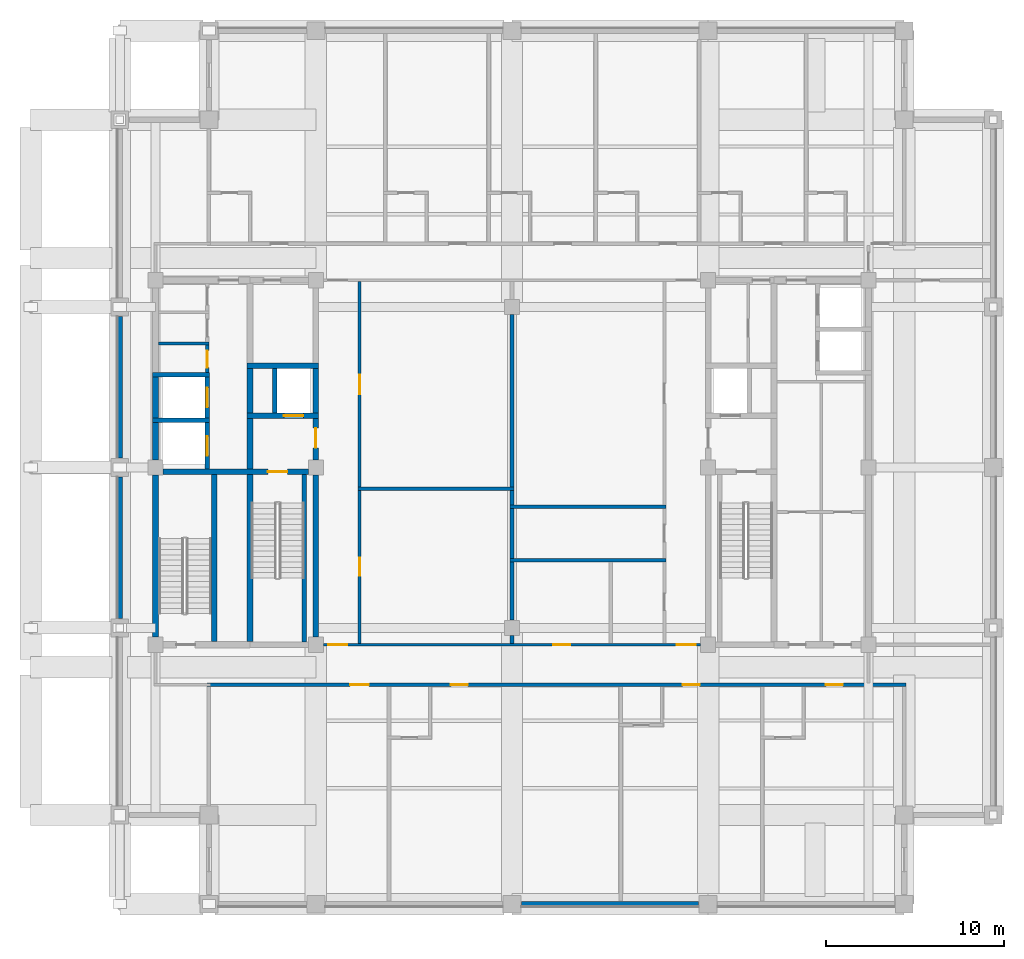
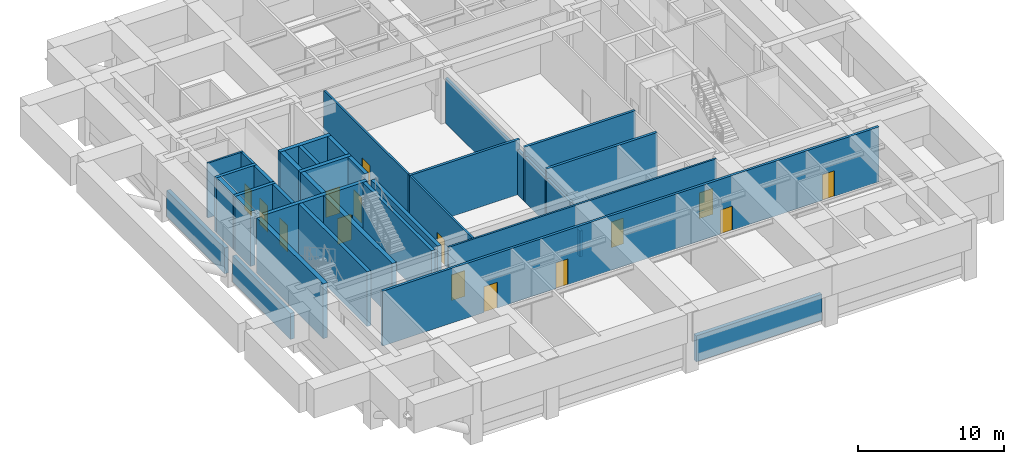
# One storey, part 3 of 11: 36 walls, 15 doors, 15 openings.
"""IFC4 building model written with IfcOpenShell, lengths in metres."""

from ifc_helpers import new_model, si_unit, direction, frame, frame_2d, origin, place, context, subcontext, project, spatial, rectangle, extrude, material, layer, layer_set, type_object, element, fill, save


model = new_model("IFC4")

# Units and contexts
model_context = context("Model", 3, precision=1e-05, world=origin(), true_north=direction((0.0, 1.0)))
body_context = subcontext(model_context, "Body", "Model", "MODEL_VIEW")
ifc_project = project(units=[si_unit("LENGTHUNIT", "METRE"), si_unit("AREAUNIT", "SQUARE_METRE"), si_unit("VOLUMEUNIT", "CUBIC_METRE"), si_unit("PLANEANGLEUNIT", "RADIAN"), si_unit("MASSUNIT", "GRAM", prefix="KILO")], contexts=[model_context])

# Site, building, storey
site_placement = place(None, origin())
site = spatial("IfcSite", under=ifc_project, at=site_placement, CompositionType="ELEMENT")
building_placement = place(site_placement, origin())
building = spatial("IfcBuilding", under=site, at=building_placement, Name="Zulmaris Gate Convention Tower", CompositionType="ELEMENT")
storey_placement = place(building_placement, frame((0.0, 0.0, 186.4599609375)))
storey = spatial("IfcBuildingStorey", under=building, at=storey_placement, Name="L48", CompositionType="ELEMENT", Elevation=186.4599609375)

# Walls
ifc_material_1 = material(Name="Concrete C50/60", Category="concrete")
ifc_layer_1 = layer(ifc_material_1, 0.25, Name="Concrete C50/60")
ifc_layer_set_1 = layer_set([ifc_layer_1], Name="Concrete C50/60")
wall_type_1 = type_object("IfcWallType", Name="CORE-250", PredefinedType="SOLIDWALL", material=ifc_layer_set_1)
for number, where, z_axis, x_axis, name in (
    (1, (-20.175048828125, 2.64990234375, 0.0), (0.0, 0.0, 1.0), (1.0, 0.0, 0.0), "WL-L48-007"),
    (2, (-20.175048828125, 5.199951171875, 0.0), (0.0, 0.0, 1.0), (1.0, 0.0, 0.0), "WL-L48-010"),
):
    element("IfcWall", number, at=place(storey_placement, frame(where, z_axis=z_axis, x_axis=x_axis)), inside=storey, type_object=wall_type_1, Name=name, PredefinedType="SOLIDWALL", context=body_context, shape_type="SweptSolid", body=[
        extrude(rectangle(XDim=3.199951171875, YDim=0.25, at=frame_2d((1.60009765625, 0.0))), origin(), (0.0, 0.0, 1.0), 4.574951171875),
    ])

# Wall, opening, door
wall_1_placement = place(storey_placement, frame((-17.10009765625, -0.097900390625, 0.0), z_axis=(0.0, 0.0, 1.0), x_axis=(0.0, 1.0, 0.0)))
wall_1 = element("IfcWall", 3, at=wall_1_placement, inside=storey, type_object=wall_type_1, Name="WL-L48-048", PredefinedType="SOLIDWALL", context=body_context, shape_type="SweptSolid", body=[
    extrude(rectangle(XDim=2.620849609375, YDim=0.25, at=frame_2d((1.310546875, 0.0))), origin(), (0.0, 0.0, 1.0), 4.574951171875),
])
opening_1_placement = place(wall_1_placement, frame((0.748046875, 0.0, 0.0)))
opening_1 = element("IfcOpeningElement", 4, at=opening_1_placement, cuts=wall_1, Name="Opening D-06", PredefinedType="OPENING", context=body_context, shape_type="SweptSolid", body=[
    extrude(rectangle(XDim=1.10009765625, YDim=2.199951171875, at=frame_2d((0.550048828125, 1.10009765625))), frame((0.0, 0.135009765625, 0.0), z_axis=(0.0, -1.0, 0.0), x_axis=(1.0, 0.0, 0.0)), (0.0, 0.0, 1.0), 0.27001953125),
])
ifc_material_2 = material(Name="Brushed Stainless Steel", Category="steel")
door_type_1 = type_object("IfcDoorType", Name="LD-1100", OperationType="NOTDEFINED", PredefinedType="DOOR", material=ifc_material_2)
door_1_placement = place(opening_1_placement, origin())
door_1 = element("IfcDoor", 5, at=door_1_placement, inside=storey, type_object=door_type_1, Name="L48 Lift Landing Door HP-03 11", OperationType="SLIDING_TO_LEFT", OverallHeight=2.199951171875, OverallWidth=1.10009765625, PredefinedType="DOOR", context=body_context, shape_type="SweptSolid", body=[
    extrude(rectangle(XDim=1.10009765625, YDim=2.199951171875, at=frame_2d((0.550048828125, 1.10009765625))), frame((0.0, 0.02490234375, 0.0), z_axis=(0.0, -1.0, 0.0), x_axis=(1.0, 0.0, 0.0)), (0.0, 0.0, 1.0), 0.050048828125),
])
fill(opening_1, door_1)

wall_2_placement = place(storey_placement, frame((-17.10009765625, 2.777099609375, 0.0), z_axis=(0.0, 0.0, 1.0), x_axis=(0.0, 1.0, 0.0)))
wall_2 = element("IfcWall", 6, at=wall_2_placement, inside=storey, type_object=wall_type_1, Name="WL-L48-049", PredefinedType="SOLIDWALL", context=body_context, shape_type="SweptSolid", body=[
    extrude(rectangle(XDim=2.2958984375, YDim=0.25, at=frame_2d((1.14794921875, 0.0))), origin(), (0.0, 0.0, 1.0), 4.574951171875),
])
opening_2_placement = place(wall_2_placement, frame((0.597900390625, 0.0, 0.0)))
opening_2 = element("IfcOpeningElement", 7, at=opening_2_placement, cuts=wall_2, Name="Opening D-06", PredefinedType="OPENING", context=body_context, shape_type="SweptSolid", body=[
    extrude(rectangle(XDim=1.10009765625, YDim=2.199951171875, at=frame_2d((0.550048828125, 1.10009765625))), frame((0.0, 0.135009765625, 0.0), z_axis=(0.0, -1.0, 0.0), x_axis=(1.0, 0.0, 0.0)), (0.0, 0.0, 1.0), 0.27001953125),
])
door_2_placement = place(opening_2_placement, origin())
door_2 = element("IfcDoor", 8, at=door_2_placement, inside=storey, type_object=door_type_1, Name="L48 Lift Landing Door HP-04 12", OperationType="SLIDING_TO_LEFT", OverallHeight=2.199951171875, OverallWidth=1.10009765625, PredefinedType="DOOR", context=body_context, shape_type="SweptSolid", body=[
    extrude(rectangle(XDim=1.10009765625, YDim=2.199951171875, at=frame_2d((0.550048828125, 1.10009765625))), frame((0.0, 0.02490234375, 0.0), z_axis=(0.0, -1.0, 0.0), x_axis=(1.0, 0.0, 0.0)), (0.0, 0.0, 1.0), 0.050048828125),
])
fill(opening_2, door_2)

# Walls
wall_3_placement = place(storey_placement, frame((-13.300048828125, 3.052001953125, 0.0), z_axis=(0.0, 0.0, 1.0), x_axis=(0.0, 1.0, 0.0)))
element("IfcWall", 9, at=wall_3_placement, inside=storey, type_object=wall_type_1, Name="WL-L48-055", PredefinedType="SOLIDWALL", context=body_context, shape_type="SweptSolid", body=[
    extrude(rectangle(XDim=2.49609375, YDim=0.25, at=frame_2d((1.248046875, 0.0))), origin(), (0.0, 0.0, 1.0), 4.574951171875),
])
wall_4_placement = place(storey_placement, frame((-11.64990234375, -9.798095703125, 0.0), z_axis=(0.0, 0.0, 1.0), x_axis=(0.0, 1.0, 0.0)))
element("IfcWall", 10, at=wall_4_placement, inside=storey, type_object=wall_type_1, Name="WL-L48-056", PredefinedType="SOLIDWALL", context=body_context, shape_type="SweptSolid", body=[
    extrude(rectangle(XDim=9.39599609375, YDim=0.25, at=frame_2d((4.697998046875, 0.0))), origin(), (0.0, 0.0, 1.0), 4.574951171875),
])

# Wall, opening, door
ifc_layer_2 = layer(ifc_material_1, 0.300048828125, Name="Concrete C50/60")
ifc_layer_set_2 = layer_set([ifc_layer_2], Name="Concrete C50/60")
wall_type_2 = type_object("IfcWallType", Name="CORE-300", PredefinedType="SHEAR", material=ifc_layer_set_2)
wall_5_placement = place(storey_placement, frame((-19.571044921875, -0.25, 0.0), z_axis=(0.0, 0.0, 1.0), x_axis=(1.0, 0.0, 0.0)))
wall_5 = element("IfcWall", 11, at=wall_5_placement, inside=storey, type_object=wall_type_2, Name="WL-L48-005", PredefinedType="SHEAR", context=body_context, shape_type="SweptSolid", body=[
    extrude(rectangle(XDim=8.14208984375, YDim=0.300048828125, at=frame_2d((4.071044921875, 0.0))), origin(), (0.0, 0.0, 1.0), 4.574951171875),
])
opening_3_placement = place(wall_5_placement, frame((5.87109375, 0.0, 0.0)))
opening_3 = element("IfcOpeningElement", 12, at=opening_3_placement, cuts=wall_5, Name="Opening D-08", PredefinedType="OPENING", context=body_context, shape_type="SweptSolid", body=[
    extrude(rectangle(XDim=1.10009765625, YDim=2.14990234375, at=frame_2d((0.550048828125, 1.074951171875))), frame((0.0, 0.16015625, 0.0), z_axis=(0.0, -1.0, 0.0), x_axis=(1.0, 0.0, 0.0)), (0.0, 0.0, 1.0), 0.320068359375),
])
ifc_material_3 = material(Name="Fire-Rated Steel", Category="steel")
door_type_2 = type_object("IfcDoorType", Name="DR-1100-FD", OperationType="NOTDEFINED", PredefinedType="DOOR", material=ifc_material_3)
door_3_placement = place(opening_3_placement, origin())
door_3 = element("IfcDoor", 13, at=door_3_placement, inside=storey, type_object=door_type_2, Name="L48 Exit Stair ST-1 Door 01", OperationType="SINGLE_SWING_LEFT", OverallHeight=2.14990234375, OverallWidth=1.10009765625, PredefinedType="DOOR", context=body_context, shape_type="SweptSolid", body=[
    extrude(rectangle(XDim=1.10009765625, YDim=2.14990234375, at=frame_2d((0.550048828125, 1.074951171875))), frame((0.0, 0.02490234375, 0.0), z_axis=(0.0, -1.0, 0.0), x_axis=(1.0, 0.0, 0.0)), (0.0, 0.0, 1.0), 0.050048828125),
])
fill(opening_3, door_3)

wall_6_placement = place(storey_placement, frame((-14.875, 2.89990234375, 0.0), z_axis=(0.0, 0.0, 1.0), x_axis=(1.0, 0.0, 0.0)))
wall_6 = element("IfcWall", 14, at=wall_6_placement, inside=storey, type_object=wall_type_2, Name="WL-L48-008", PredefinedType="SHEAR", context=body_context, shape_type="SweptSolid", body=[
    extrude(rectangle(XDim=4.02490234375, YDim=0.300048828125, at=frame_2d((2.012451171875, 0.0))), origin(), (0.0, 0.0, 1.0), 4.574951171875),
])
opening_4_placement = place(wall_6_placement, frame((2.074951171875, 0.0, 0.0)))
opening_4 = element("IfcOpeningElement", 15, at=opening_4_placement, cuts=wall_6, Name="Opening D-06", PredefinedType="OPENING", context=body_context, shape_type="SweptSolid", body=[
    extrude(rectangle(XDim=1.10009765625, YDim=2.199951171875, at=frame_2d((0.550048828125, 1.10009765625))), frame((0.0, 0.16015625, 0.0), z_axis=(0.0, -1.0, 0.0), x_axis=(1.0, 0.0, 0.0)), (0.0, 0.0, 1.0), 0.320068359375),
])
door_4_placement = place(opening_4_placement, origin())
door_4 = element("IfcDoor", 16, at=door_4_placement, inside=storey, type_object=door_type_1, Name="L48 Lift Landing Door LF-01 03", OperationType="SLIDING_TO_LEFT", OverallHeight=2.199951171875, OverallWidth=1.10009765625, PredefinedType="DOOR", context=body_context, shape_type="SweptSolid", body=[
    extrude(rectangle(XDim=1.10009765625, YDim=2.199951171875, at=frame_2d((0.550048828125, 1.10009765625))), frame((0.0, 0.02490234375, 0.0), z_axis=(0.0, -1.0, 0.0), x_axis=(1.0, 0.0, 0.0)), (0.0, 0.0, 1.0), 0.050048828125),
])
fill(opening_4, door_4)

# Walls
wall_7_placement = place(storey_placement, frame((-14.875, 5.699951171875, 0.0), z_axis=(0.0, 0.0, 1.0), x_axis=(1.0, 0.0, 0.0)))
element("IfcWall", 17, at=wall_7_placement, inside=storey, type_object=wall_type_2, Name="WL-L48-012", PredefinedType="SHEAR", context=body_context, shape_type="SweptSolid", body=[
    extrude(rectangle(XDim=4.02490234375, YDim=0.300048828125, at=frame_2d((2.012451171875, 0.0))), origin(), (0.0, 0.0, 1.0), 4.574951171875),
])
wall_8_placement = place(storey_placement, frame((-16.699951171875, -9.77294921875, 0.0), z_axis=(0.0, 0.0, 1.0), x_axis=(0.0, 1.0, 0.0)))
element("IfcWall", 18, at=wall_8_placement, inside=storey, type_object=wall_type_2, Name="WL-L48-050", PredefinedType="SHEAR", context=body_context, shape_type="SweptSolid", body=[
    extrude(rectangle(XDim=9.370849609375, YDim=0.300048828125, at=frame_2d((4.685546875, 0.0))), origin(), (0.0, 0.0, 1.0), 4.574951171875),
])
wall_9_placement = place(storey_placement, frame((-11.0, -9.52099609375, 0.0), z_axis=(0.0, 0.0, 1.0), x_axis=(0.0, 1.0, 0.0)))
element("IfcWall", 19, at=wall_9_placement, inside=storey, type_object=wall_type_2, Name="WL-L48-057", PredefinedType="SHEAR", context=body_context, shape_type="SweptSolid", body=[
    extrude(rectangle(XDim=9.092041015625, YDim=0.300048828125, at=frame_2d((4.5458984375, 0.0))), origin(), (0.0, 0.0, 1.0), 4.574951171875),
])

# Wall, opening, door
wall_10_placement = place(storey_placement, frame((-11.0, 0.428955078125, 0.0), z_axis=(0.0, 0.0, 1.0), x_axis=(0.0, 1.0, 0.0)))
wall_10 = element("IfcWall", 20, at=wall_10_placement, inside=storey, type_object=wall_type_2, Name="WL-L48-058", PredefinedType="SHEAR", context=body_context, shape_type="SweptSolid", body=[
    extrude(rectangle(XDim=2.319091796875, YDim=0.300048828125, at=frame_2d((1.15966796875, 0.0))), origin(), (0.0, 0.0, 1.0), 4.574951171875),
])
opening_5_placement = place(wall_10_placement, frame((0.6708984375, 0.0, 0.0)))
opening_5 = element("IfcOpeningElement", 21, at=opening_5_placement, cuts=wall_10, Name="Opening D-08", PredefinedType="OPENING", context=body_context, shape_type="SweptSolid", body=[
    extrude(rectangle(XDim=1.10009765625, YDim=2.14990234375, at=frame_2d((0.550048828125, 1.074951171875))), frame((0.0, 0.16015625, 0.0), z_axis=(0.0, -1.0, 0.0), x_axis=(1.0, 0.0, 0.0)), (0.0, 0.0, 1.0), 0.320068359375),
])
door_5_placement = place(opening_5_placement, origin())
door_5 = element("IfcDoor", 22, at=door_5_placement, inside=storey, type_object=door_type_2, Name="L48 West Firefighting Lobby Door 02", OperationType="SINGLE_SWING_RIGHT", OverallHeight=2.14990234375, OverallWidth=1.10009765625, PredefinedType="DOOR", context=body_context, shape_type="SweptSolid", body=[
    extrude(rectangle(XDim=1.10009765625, YDim=2.14990234375, at=frame_2d((0.550048828125, 1.074951171875))), frame((0.0, 0.02490234375, 0.0), z_axis=(0.0, -1.0, 0.0), x_axis=(1.0, 0.0, 0.0)), (0.0, 0.0, 1.0), 0.050048828125),
])
fill(opening_5, door_5)

# Walls
wall_11_placement = place(storey_placement, frame((-11.0, 3.052001953125, 0.0), z_axis=(0.0, 0.0, 1.0), x_axis=(0.0, 1.0, 0.0)))
element("IfcWall", 23, at=wall_11_placement, inside=storey, type_object=wall_type_2, Name="WL-L48-059", PredefinedType="SHEAR", context=body_context, shape_type="SweptSolid", body=[
    extrude(rectangle(XDim=2.49609375, YDim=0.300048828125, at=frame_2d((1.248046875, 0.0))), origin(), (0.0, 0.0, 1.0), 4.574951171875),
])
ifc_material_4 = material(Name="Concrete C55/67", Category="concrete")
ifc_layer_3 = layer(ifc_material_4, 0.35009765625, Name="Concrete C55/67")
ifc_layer_set_3 = layer_set([ifc_layer_3], Name="Concrete C55/67")
wall_type_3 = type_object("IfcWallType", Name="CORE-350", PredefinedType="SHEAR", material=ifc_layer_set_3)
wall_12_placement = place(storey_placement, frame((-20.0, -9.52099609375, 0.0), z_axis=(0.0, 0.0, 1.0), x_axis=(0.0, 1.0, 0.0)))
element("IfcWall", 24, at=wall_12_placement, inside=storey, type_object=wall_type_3, Name="WL-L48-044", PredefinedType="SHEAR", context=body_context, shape_type="SweptSolid", body=[
    extrude(rectangle(XDim=9.092041015625, YDim=0.35009765625, at=frame_2d((4.5458984375, 0.0))), origin(), (0.0, 0.0, 1.0), 4.574951171875),
])
wall_13_placement = place(storey_placement, frame((-20.0, 0.428955078125, 0.0), z_axis=(0.0, 0.0, 1.0), x_axis=(0.0, 1.0, 0.0)))
element("IfcWall", 25, at=wall_13_placement, inside=storey, type_object=wall_type_3, Name="WL-L48-045", PredefinedType="SHEAR", context=body_context, shape_type="SweptSolid", body=[
    extrude(rectangle(XDim=2.093994140625, YDim=0.35009765625, at=frame_2d((1.046875, 0.0))), origin(), (0.0, 0.0, 1.0), 4.574951171875),
])
wall_14_placement = place(storey_placement, frame((-20.0, 2.777099609375, 0.0), z_axis=(0.0, 0.0, 1.0), x_axis=(0.0, 1.0, 0.0)))
element("IfcWall", 26, at=wall_14_placement, inside=storey, type_object=wall_type_3, Name="WL-L48-046", PredefinedType="SHEAR", context=body_context, shape_type="SweptSolid", body=[
    extrude(rectangle(XDim=2.2958984375, YDim=0.35009765625, at=frame_2d((1.14794921875, 0.0))), origin(), (0.0, 0.0, 1.0), 4.574951171875),
])
wall_15_placement = place(storey_placement, frame((-14.699951171875, -9.77294921875, 0.0), z_axis=(0.0, 0.0, 1.0), x_axis=(0.0, 1.0, 0.0)))
element("IfcWall", 27, at=wall_15_placement, inside=storey, type_object=wall_type_3, Name="WL-L48-051", PredefinedType="SHEAR", context=body_context, shape_type="SweptSolid", body=[
    extrude(rectangle(XDim=9.370849609375, YDim=0.35009765625, at=frame_2d((4.685546875, 0.0))), origin(), (0.0, 0.0, 1.0), 4.574951171875),
])
wall_16_placement = place(storey_placement, frame((-14.699951171875, -0.097900390625, 0.0), z_axis=(0.0, 0.0, 1.0), x_axis=(0.0, 1.0, 0.0)))
element("IfcWall", 28, at=wall_16_placement, inside=storey, type_object=wall_type_3, Name="WL-L48-052", PredefinedType="SHEAR", context=body_context, shape_type="SweptSolid", body=[
    extrude(rectangle(XDim=2.845947265625, YDim=0.35009765625, at=frame_2d((1.4228515625, 0.0))), origin(), (0.0, 0.0, 1.0), 4.574951171875),
])
wall_17_placement = place(storey_placement, frame((-14.699951171875, 3.052001953125, 0.0), z_axis=(0.0, 0.0, 1.0), x_axis=(0.0, 1.0, 0.0)))
element("IfcWall", 29, at=wall_17_placement, inside=storey, type_object=wall_type_3, Name="WL-L48-053", PredefinedType="SHEAR", context=body_context, shape_type="SweptSolid", body=[
    extrude(rectangle(XDim=2.49609375, YDim=0.35009765625, at=frame_2d((1.248046875, 0.0))), origin(), (0.0, 0.0, 1.0), 4.574951171875),
])

# Wall, openings, doors
ifc_material_5 = material(Name="Gypsum Metal Stud Partition")
ifc_layer_4 = layer(ifc_material_5, 0.14990234375, Name="Gypsum Metal Stud Partition")
ifc_layer_set_4 = layer_set([ifc_layer_4], Name="Gypsum Metal Stud Partition")
wall_type_4 = type_object("IfcWallType", Name="PART-150", PredefinedType="PARTITIONING", material=ifc_layer_set_4)
wall_18_placement = place(storey_placement, frame((-10.569091796875, -9.949951171875, 0.0), z_axis=(0.0, 0.0, 1.0), x_axis=(1.0, 0.0, 0.0)))
wall_18 = element("IfcWall", 30, at=wall_18_placement, inside=storey, type_object=wall_type_4, Name="WL-L48-024", PredefinedType="PARTITIONING", context=body_context, shape_type="SweptSolid", body=[
    extrude(rectangle(XDim=21.13818359375, YDim=0.14990234375, at=frame_2d((10.569091796875, 0.0))), origin(), (0.0, 0.0, 1.0), 4.574951171875),
])
opening_6_placement = place(wall_18_placement, frame((0.263916015625, 0.0, 0.0)))
opening_6 = element("IfcOpeningElement", 31, at=opening_6_placement, cuts=wall_18, Name="Opening D-09", PredefinedType="OPENING", context=body_context, shape_type="SweptSolid", body=[
    extrude(rectangle(XDim=1.050048828125, YDim=2.14990234375, at=frame_2d((0.52490234375, 1.074951171875))), frame((0.0, 0.0849609375, 0.0), z_axis=(0.0, -1.0, 0.0), x_axis=(1.0, 0.0, 0.0)), (0.0, 0.0, 1.0), 0.169921875),
])
opening_7_placement = place(wall_18_placement, frame((19.823974609375, 0.0, 0.0)))
opening_7 = element("IfcOpeningElement", 32, at=opening_7_placement, cuts=wall_18, Name="Opening D-09", PredefinedType="OPENING", context=body_context, shape_type="SweptSolid", body=[
    extrude(rectangle(XDim=1.050048828125, YDim=2.14990234375, at=frame_2d((0.52490234375, 1.074951171875))), frame((0.0, 0.0849609375, 0.0), z_axis=(0.0, -1.0, 0.0), x_axis=(1.0, 0.0, 0.0)), (0.0, 0.0, 1.0), 0.169921875),
])
opening_8_placement = place(wall_18_placement, frame((12.8740234375, 0.0, 0.0)))
opening_8 = element("IfcOpeningElement", 33, at=opening_8_placement, cuts=wall_18, Name="Opening D-11", PredefinedType="OPENING", context=body_context, shape_type="SweptSolid", body=[
    extrude(rectangle(XDim=0.949951171875, YDim=2.14990234375, at=frame_2d((0.47509765625, 1.074951171875))), frame((0.0, 0.0849609375, 0.0), z_axis=(0.0, -1.0, 0.0), x_axis=(1.0, 0.0, 0.0)), (0.0, 0.0, 1.0), 0.169921875),
])
door_type_3 = type_object("IfcDoorType", Name="DR-1050-FD", OperationType="NOTDEFINED", PredefinedType="DOOR", material=ifc_material_3)
door_6_placement = place(opening_6_placement, origin())
door_6 = element("IfcDoor", 34, at=door_6_placement, inside=storey, type_object=door_type_3, Name="L48 SW Hotel Loop Door 25", OperationType="SINGLE_SWING_LEFT", OverallHeight=2.14990234375, OverallWidth=1.050048828125, PredefinedType="DOOR", context=body_context, shape_type="SweptSolid", body=[
    extrude(rectangle(XDim=1.050048828125, YDim=2.14990234375, at=frame_2d((0.52490234375, 1.074951171875))), frame((0.0, 0.02490234375, 0.0), z_axis=(0.0, -1.0, 0.0), x_axis=(1.0, 0.0, 0.0)), (0.0, 0.0, 1.0), 0.050048828125),
])
fill(opening_6, door_6)
door_7_placement = place(opening_7_placement, origin())
door_7 = element("IfcDoor", 35, at=door_7_placement, inside=storey, type_object=door_type_3, Name="L48 SE Hotel Loop Door 27", OperationType="SINGLE_SWING_LEFT", OverallHeight=2.14990234375, OverallWidth=1.050048828125, PredefinedType="DOOR", context=body_context, shape_type="SweptSolid", body=[
    extrude(rectangle(XDim=1.050048828125, YDim=2.14990234375, at=frame_2d((0.52490234375, 1.074951171875))), frame((0.0, 0.02490234375, 0.0), z_axis=(0.0, -1.0, 0.0), x_axis=(1.0, 0.0, 0.0)), (0.0, 0.0, 1.0), 0.050048828125),
])
fill(opening_7, door_7)
ifc_material_6 = material(Name="Fire-Rated Timber", Category="wood")
door_type_4 = type_object("IfcDoorType", Name="DR-950-FD", OperationType="NOTDEFINED", PredefinedType="DOOR", material=ifc_material_6)
door_8_placement = place(opening_8_placement, origin())
door_8 = element("IfcDoor", 36, at=door_8_placement, inside=storey, type_object=door_type_4, Name="L48 Staging Store Door 52", OperationType="SINGLE_SWING_RIGHT", OverallHeight=2.14990234375, OverallWidth=0.949951171875, PredefinedType="DOOR", context=body_context, shape_type="SweptSolid", body=[
    extrude(rectangle(XDim=0.949951171875, YDim=2.14990234375, at=frame_2d((0.47509765625, 1.074951171875))), frame((0.0, 0.02490234375, 0.0), z_axis=(0.0, -1.0, 0.0), x_axis=(1.0, 0.0, 0.0)), (0.0, 0.0, 1.0), 0.050048828125),
])
fill(opening_8, door_8)

# Wall
wall_19_placement = place(storey_placement, frame((-19.822021484375, 6.949951171875, 0.0), z_axis=(0.0, 0.0, 1.0), x_axis=(1.0, 0.0, 0.0)))
element("IfcWall", 37, at=wall_19_placement, inside=storey, type_object=wall_type_4, Name="WL-L48-031", PredefinedType="PARTITIONING", context=body_context, shape_type="SweptSolid", body=[
    extrude(rectangle(XDim=2.822021484375, YDim=0.14990234375, at=frame_2d((1.4111328125, 0.0))), origin(), (0.0, 0.0, 1.0), 4.574951171875),
])

# Wall, opening, door
wall_20_placement = place(storey_placement, frame((-8.550048828125, -9.8720703125, 0.0), z_axis=(0.0, 0.0, 1.0), x_axis=(0.0, 1.0, 0.0)))
wall_20 = element("IfcWall", 38, at=wall_20_placement, inside=storey, type_object=wall_type_4, Name="WL-L48-085", PredefinedType="PARTITIONING", context=body_context, shape_type="SweptSolid", body=[
    extrude(rectangle(XDim=8.569091796875, YDim=0.14990234375, at=frame_2d((4.28466796875, 0.0))), origin(), (0.0, 0.0, 1.0), 4.574951171875),
])
opening_9_placement = place(wall_20_placement, frame((3.802001953125, 0.0, 0.0)))
opening_9 = element("IfcOpeningElement", 39, at=opening_9_placement, cuts=wall_20, Name="Opening D-10", PredefinedType="OPENING", context=body_context, shape_type="SweptSolid", body=[
    extrude(rectangle(XDim=1.0, YDim=2.14990234375, at=frame_2d((0.5, 1.074951171875))), frame((0.0, 0.0849609375, 0.0), z_axis=(0.0, -1.0, 0.0), x_axis=(1.0, 0.0, 0.0)), (0.0, 0.0, 1.0), 0.169921875),
])
door_type_5 = type_object("IfcDoorType", Name="DR-1000-FD", OperationType="NOTDEFINED", PredefinedType="DOOR", material=ifc_material_6)
door_9_placement = place(opening_9_placement, origin())
door_9 = element("IfcDoor", 40, at=door_9_placement, inside=storey, type_object=door_type_5, Name="L48 Guest Study Door 48", OperationType="SINGLE_SWING_RIGHT", OverallHeight=2.14990234375, OverallWidth=1.0, PredefinedType="DOOR", context=body_context, shape_type="SweptSolid", body=[
    extrude(rectangle(XDim=1.0, YDim=2.14990234375, at=frame_2d((0.5, 1.074951171875))), frame((0.0, 0.02490234375, 0.0), z_axis=(0.0, -1.0, 0.0), x_axis=(1.0, 0.0, 0.0)), (0.0, 0.0, 1.0), 0.050048828125),
])
fill(opening_9, door_9)

wall_21_placement = place(storey_placement, frame((-8.550048828125, -1.096923828125, 0.0), z_axis=(0.0, 0.0, 1.0), x_axis=(0.0, 1.0, 0.0)))
wall_21 = element("IfcWall", 41, at=wall_21_placement, inside=storey, type_object=wall_type_4, Name="WL-L48-086", PredefinedType="PARTITIONING", context=body_context, shape_type="SweptSolid", body=[
    extrude(rectangle(XDim=11.51904296875, YDim=0.14990234375, at=frame_2d((5.759521484375, 0.0))), origin(), (0.0, 0.0, 1.0), 4.574951171875),
])
opening_10_placement = place(wall_21_placement, frame((5.197021484375, 0.0, 0.0)))
opening_10 = element("IfcOpeningElement", 42, at=opening_10_placement, cuts=wall_21, Name="Opening D-08", PredefinedType="OPENING", context=body_context, shape_type="SweptSolid", body=[
    extrude(rectangle(XDim=1.10009765625, YDim=2.14990234375, at=frame_2d((0.550048828125, 1.074951171875))), frame((0.0, 0.0849609375, 0.0), z_axis=(0.0, -1.0, 0.0), x_axis=(1.0, 0.0, 0.0)), (0.0, 0.0, 1.0), 0.169921875),
])
door_10_placement = place(opening_10_placement, origin())
door_10 = element("IfcDoor", 43, at=door_10_placement, inside=storey, type_object=door_type_2, Name="L48 Club Lounge Door 47", OperationType="SINGLE_SWING_LEFT", OverallHeight=2.14990234375, OverallWidth=1.10009765625, PredefinedType="DOOR", context=body_context, shape_type="SweptSolid", body=[
    extrude(rectangle(XDim=1.10009765625, YDim=2.14990234375, at=frame_2d((0.550048828125, 1.074951171875))), frame((0.0, 0.02490234375, 0.0), z_axis=(0.0, -1.0, 0.0), x_axis=(1.0, 0.0, 0.0)), (0.0, 0.0, 1.0), 0.050048828125),
])
fill(opening_10, door_10)

# Wall, openings, doors
ifc_material_7 = material(Name="Autoclaved Aerated Concrete Block and Plasterboard", Category="concrete")
ifc_layer_5 = layer(ifc_material_7, 0.199951171875, Name="Autoclaved Aerated Concrete Block and Plasterboard")
ifc_layer_set_5 = layer_set([ifc_layer_5], Name="Autoclaved Aerated Concrete Block and Plasterboard")
wall_type_5 = type_object("IfcWallType", Name="PART-200", PredefinedType="PARTITIONING", material=ifc_layer_set_5)
wall_22_placement = place(storey_placement, frame((-17.10009765625, -12.199951171875, 0.0), z_axis=(0.0, 0.0, 1.0), x_axis=(1.0, 0.0, 0.0)))
wall_22 = element("IfcWall", 44, at=wall_22_placement, inside=storey, type_object=wall_type_5, Name="WL-L48-023", PredefinedType="PARTITIONING", context=body_context, shape_type="SweptSolid", body=[
    extrude(rectangle(XDim=39.2001953125, YDim=0.199951171875, at=frame_2d((19.60009765625, 0.0))), origin(), (0.0, 0.0, 1.0), 4.574951171875),
])
opening_11_placement = place(wall_22_placement, frame((8.02490234375, 0.0, 0.0)))
opening_11 = element("IfcOpeningElement", 45, at=opening_11_placement, cuts=wall_22, Name="Opening D-09", PredefinedType="OPENING", context=body_context, shape_type="SweptSolid", body=[
    extrude(rectangle(XDim=1.050048828125, YDim=2.14990234375, at=frame_2d((0.52490234375, 1.074951171875))), frame((0.0, 0.10986328125, 0.0), z_axis=(0.0, -1.0, 0.0), x_axis=(1.0, 0.0, 0.0)), (0.0, 0.0, 1.0), 0.219970703125),
])
opening_12_placement = place(wall_22_placement, frame((13.675048828125, 0.0, 0.0)))
opening_12 = element("IfcOpeningElement", 46, at=opening_12_placement, cuts=wall_22, Name="Opening D-11", PredefinedType="OPENING", context=body_context, shape_type="SweptSolid", body=[
    extrude(rectangle(XDim=0.949951171875, YDim=2.14990234375, at=frame_2d((0.47509765625, 1.074951171875))), frame((0.0, 0.10986328125, 0.0), z_axis=(0.0, -1.0, 0.0), x_axis=(1.0, 0.0, 0.0)), (0.0, 0.0, 1.0), 0.219970703125),
])
opening_13_placement = place(wall_22_placement, frame((26.675048828125, 0.0, 0.0)))
opening_13 = element("IfcOpeningElement", 47, at=opening_13_placement, cuts=wall_22, Name="Opening D-25", PredefinedType="OPENING", context=body_context, shape_type="SweptSolid", body=[
    extrude(rectangle(XDim=0.949951171875, YDim=2.02001953125, at=frame_2d((0.47509765625, 1.010009765625))), frame((0.0, 0.10986328125, 0.0), z_axis=(0.0, -1.0, 0.0), x_axis=(1.0, 0.0, 0.0)), (0.0, 0.0, 1.0), 0.219970703125),
])
opening_14_placement = place(wall_22_placement, frame((34.705078125, 0.0, 0.0)))
opening_14 = element("IfcOpeningElement", 48, at=opening_14_placement, cuts=wall_22, Name="Opening D-11", PredefinedType="OPENING", context=body_context, shape_type="SweptSolid", body=[
    extrude(rectangle(XDim=0.949951171875, YDim=2.14990234375, at=frame_2d((0.47509765625, 1.074951171875))), frame((0.0, 0.10986328125, 0.0), z_axis=(0.0, -1.0, 0.0), x_axis=(1.0, 0.0, 0.0)), (0.0, 0.0, 1.0), 0.219970703125),
])
door_11_placement = place(opening_11_placement, origin())
door_11 = element("IfcDoor", 49, at=door_11_placement, inside=storey, type_object=door_type_3, Name="L48 Panorama Salon Door 40", OperationType="SINGLE_SWING_RIGHT", OverallHeight=2.14990234375, OverallWidth=1.050048828125, PredefinedType="DOOR", context=body_context, shape_type="SweptSolid", body=[
    extrude(rectangle(XDim=1.050048828125, YDim=2.14990234375, at=frame_2d((0.52490234375, 1.074951171875))), frame((0.0, 0.02490234375, 0.0), z_axis=(0.0, -1.0, 0.0), x_axis=(1.0, 0.0, 0.0)), (0.0, 0.0, 1.0), 0.050048828125),
])
fill(opening_11, door_11)
door_12_placement = place(opening_12_placement, origin())
door_12 = element("IfcDoor", 50, at=door_12_placement, inside=storey, type_object=door_type_4, Name="L48 Hotel Executive Suite Door 41", OperationType="SINGLE_SWING_LEFT", OverallHeight=2.14990234375, OverallWidth=0.949951171875, PredefinedType="DOOR", context=body_context, shape_type="SweptSolid", body=[
    extrude(rectangle(XDim=0.949951171875, YDim=2.14990234375, at=frame_2d((0.47509765625, 1.074951171875))), frame((0.0, 0.02490234375, 0.0), z_axis=(0.0, -1.0, 0.0), x_axis=(1.0, 0.0, 0.0)), (0.0, 0.0, 1.0), 0.050048828125),
])
fill(opening_12, door_12)
door_13_placement = place(opening_14_placement, origin())
door_13 = element("IfcDoor", 51, at=door_13_placement, inside=storey, type_object=door_type_4, Name="L48 Hotel Executive Suite Door 45", OperationType="SINGLE_SWING_LEFT", OverallHeight=2.14990234375, OverallWidth=0.949951171875, PredefinedType="DOOR", context=body_context, shape_type="SweptSolid", body=[
    extrude(rectangle(XDim=0.949951171875, YDim=2.14990234375, at=frame_2d((0.47509765625, 1.074951171875))), frame((0.0, 0.02490234375, 0.0), z_axis=(0.0, -1.0, 0.0), x_axis=(1.0, 0.0, 0.0)), (0.0, 0.0, 1.0), 0.050048828125),
])
fill(opening_14, door_13)
door_type_6 = type_object("IfcDoorType", Name="DR-950-LOW-FD", OperationType="NOTDEFINED", PredefinedType="DOOR", material=ifc_material_3)
door_14_placement = place(opening_13_placement, origin())
door_14 = element("IfcDoor", 52, at=door_14_placement, inside=storey, type_object=door_type_6, Name="L48 Hotel Executive Suite Door 43", OperationType="SINGLE_SWING_LEFT", OverallHeight=2.02001953125, OverallWidth=0.949951171875, PredefinedType="DOOR", context=body_context, shape_type="SweptSolid", body=[
    extrude(rectangle(XDim=0.949951171875, YDim=2.02001953125, at=frame_2d((0.47509765625, 1.010009765625))), frame((0.0, 0.02490234375, 0.0), z_axis=(0.0, -1.0, 0.0), x_axis=(1.0, 0.0, 0.0)), (0.0, 0.0, 1.0), 0.050048828125),
])
fill(opening_13, door_14)

# Walls
for number, where, z_axis, x_axis, name in (
    (53, (-0.10009765625, -5.199951171875, 0.0), (0.0, 0.0, 1.0), (1.0, 0.0, 0.0), "WL-L48-026"),
    (54, (-0.10009765625, -2.199951171875, 0.0), (0.0, 0.0, 1.0), (1.0, 0.0, 0.0), "WL-L48-028"),
    (55, (-8.625, -1.199951171875, 0.0), (0.0, 0.0, 1.0), (1.0, 0.0, 0.0), "WL-L48-029"),
):
    element("IfcWall", number, at=place(storey_placement, frame(where, z_axis=z_axis, x_axis=x_axis)), inside=storey, type_object=wall_type_5, Name=name, PredefinedType="PARTITIONING", context=body_context, shape_type="SweptSolid", body=[
        extrude(rectangle(XDim=8.72509765625, YDim=0.199951171875, at=frame_2d((4.362548828125, 0.0))), origin(), (0.0, 0.0, 1.0), 4.574951171875),
    ])

# Wall, opening, door
wall_23_placement = place(storey_placement, frame((-17.10009765625, 5.327880859375, 0.0), z_axis=(0.0, 0.0, 1.0), x_axis=(0.0, 1.0, 0.0)))
wall_23 = element("IfcWall", 56, at=wall_23_placement, inside=storey, type_object=wall_type_5, Name="WL-L48-078", PredefinedType="PARTITIONING", context=body_context, shape_type="SweptSolid", body=[
    extrude(rectangle(XDim=1.544189453125, YDim=0.199951171875, at=frame_2d((0.77197265625, 0.0))), origin(), (0.0, 0.0, 1.0), 4.574951171875),
])
opening_15_placement = place(wall_23_placement, frame((0.277099609375, 0.0, 0.0)))
opening_15 = element("IfcOpeningElement", 57, at=opening_15_placement, cuts=wall_23, Name="Opening D-11", PredefinedType="OPENING", context=body_context, shape_type="SweptSolid", body=[
    extrude(rectangle(XDim=0.949951171875, YDim=2.14990234375, at=frame_2d((0.47509765625, 1.074951171875))), frame((0.0, 0.10986328125, 0.0), z_axis=(0.0, -1.0, 0.0), x_axis=(1.0, 0.0, 0.0)), (0.0, 0.0, 1.0), 0.219970703125),
])
door_15_placement = place(opening_15_placement, origin())
door_15 = element("IfcDoor", 58, at=door_15_placement, inside=storey, type_object=door_type_4, Name="L48 Linen Closet Door 16", OperationType="SINGLE_SWING_RIGHT", OverallHeight=2.14990234375, OverallWidth=0.949951171875, PredefinedType="DOOR", context=body_context, shape_type="SweptSolid", body=[
    extrude(rectangle(XDim=0.949951171875, YDim=2.14990234375, at=frame_2d((0.47509765625, 1.074951171875))), frame((0.0, 0.02490234375, 0.0), z_axis=(0.0, -1.0, 0.0), x_axis=(1.0, 0.0, 0.0)), (0.0, 0.0, 1.0), 0.050048828125),
])
fill(opening_15, door_15)

# Walls
wall_24_placement = place(storey_placement, frame((0.0, -9.8720703125, 0.0), z_axis=(0.0, 0.0, 1.0), x_axis=(0.0, 1.0, 0.0)))
element("IfcWall", 59, at=wall_24_placement, inside=storey, type_object=wall_type_5, Name="WL-L48-095", PredefinedType="PARTITIONING", context=body_context, shape_type="SweptSolid", body=[
    extrude(rectangle(XDim=0.441162109375, YDim=0.199951171875, at=frame_2d((0.220703125, 0.0))), origin(), (0.0, 0.0, 1.0), 2.1669921875),
])
wall_25_placement = place(storey_placement, frame((0.0, -8.569091796875, 0.0), z_axis=(0.0, 0.0, 1.0), x_axis=(0.0, 1.0, 0.0)))
element("IfcWall", 60, at=wall_25_placement, inside=storey, type_object=wall_type_5, Name="WL-L48-095S1", PredefinedType="PARTITIONING", context=body_context, shape_type="SweptSolid", body=[
    extrude(rectangle(XDim=3.26611328125, YDim=0.199951171875, at=frame_2d((1.633056640625, 0.0))), origin(), (0.0, 0.0, 1.0), 3.76708984375),
])
wall_26_placement = place(storey_placement, frame((0.0, -5.096923828125, 0.0), z_axis=(0.0, 0.0, 1.0), x_axis=(0.0, 1.0, 0.0)))
element("IfcWall", 61, at=wall_26_placement, inside=storey, type_object=wall_type_5, Name="WL-L48-096", PredefinedType="PARTITIONING", context=body_context, shape_type="SweptSolid", body=[
    extrude(rectangle(XDim=2.7939453125, YDim=0.199951171875, at=frame_2d((1.39697265625, 0.0))), origin(), (0.0, 0.0, 1.0), 3.76708984375),
])
wall_27_placement = place(storey_placement, frame((0.0, -2.096923828125, 0.0), z_axis=(0.0, 0.0, 1.0), x_axis=(0.0, 1.0, 0.0)))
element("IfcWall", 62, at=wall_27_placement, inside=storey, type_object=wall_type_5, Name="WL-L48-097", PredefinedType="PARTITIONING", context=body_context, shape_type="SweptSolid", body=[
    extrude(rectangle(XDim=0.7939453125, YDim=0.199951171875, at=frame_2d((0.39697265625, 0.0))), origin(), (0.0, 0.0, 1.0), 3.76708984375),
])
wall_28_placement = place(storey_placement, frame((0.0, -1.096923828125, 0.0), z_axis=(0.0, 0.0, 1.0), x_axis=(0.0, 1.0, 0.0)))
element("IfcWall", 63, at=wall_28_placement, inside=storey, type_object=wall_type_5, Name="WL-L48-098", PredefinedType="PARTITIONING", context=body_context, shape_type="SweptSolid", body=[
    extrude(rectangle(XDim=9.666015625, YDim=0.199951171875, at=frame_2d((4.8330078125, 0.0))), origin(), (0.0, 0.0, 1.0), 3.76708984375),
])
ifc_material_8 = material(Name="Precast concrete C40/50", Category="concrete")
ifc_layer_6 = layer(ifc_material_8, 0.300048828125, Name="Precast concrete C40/50")
ifc_layer_set_6 = layer_set([ifc_layer_6], Name="Precast concrete C40/50")
wall_type_6 = type_object("IfcWallType", Name="PRECAST-PIER-300", PredefinedType="STANDARD", material=ifc_layer_set_6)
wall_29_placement = place(storey_placement, frame((0.530029296875, -24.5, 0.0), z_axis=(0.0, 0.0, 1.0), x_axis=(1.0, 0.0, 0.0)))
element("IfcWall", 64, at=wall_29_placement, inside=storey, type_object=wall_type_6, Name="EW-L48-S-2_0", PredefinedType="STANDARD", context=body_context, shape_type="SweptSolid", body=[
    extrude(rectangle(XDim=9.93994140625, YDim=0.300048828125, at=frame_2d((4.969970703125, 0.0))), origin(), (0.0, 0.0, 1.0), 2.1669921875),
])
for number, where, z_axis, x_axis, name in (
    (65, (-22.0, -0.530029296875, 0.0), (0.0, 0.0, 1.0), (0.0, -1.0, 0.0), "EW-L48-W-1_0"),
    (66, (-22.0, 8.469970703125, 0.0), (0.0, 0.0, 1.0), (0.0, -1.0, 0.0), "EW-L48-W-2_0"),
):
    element("IfcWall", number, at=place(storey_placement, frame(where, z_axis=z_axis, x_axis=x_axis)), inside=storey, type_object=wall_type_6, Name=name, PredefinedType="STANDARD", context=body_context, shape_type="SweptSolid", body=[
        extrude(rectangle(XDim=7.93994140625, YDim=0.300048828125, at=frame_2d((3.969970703125, 0.0))), origin(), (0.0, 0.0, 1.0), 2.1669921875),
    ])

save(model, "model.ifc")
